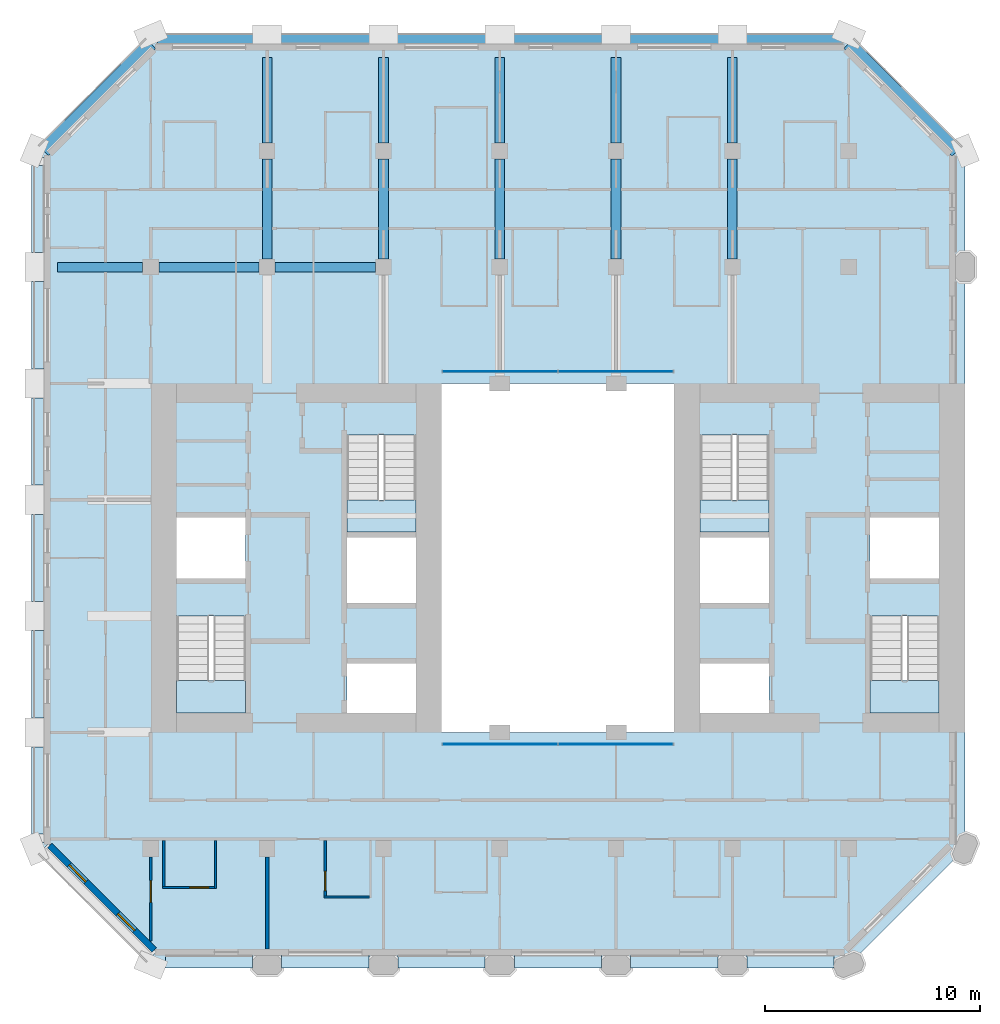
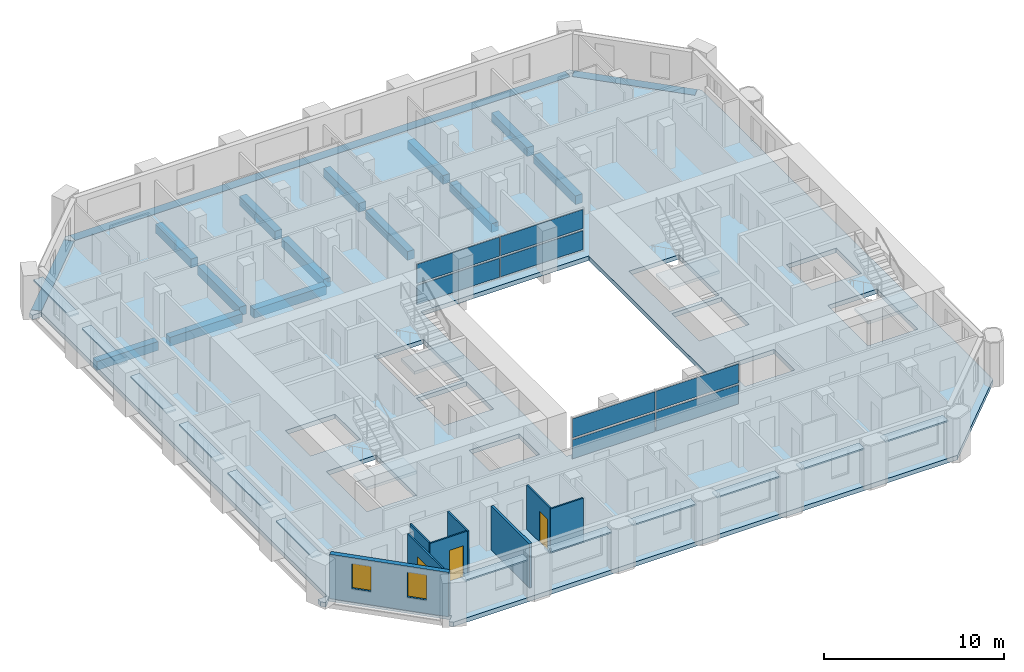
# One storey, part 5 of 14: 20 plates, 16 beams, 8 walls, 5 slabs, 3 doors, 2 windows, 5 openings, 6 elements without a shape of their own.
"""IFC4 building model written with IfcOpenShell, lengths in metres."""

from ifc_helpers import new_model, si_unit, direction, frame, frame_2d, origin, origin_2d, place, context, subcontext, project, spatial, polyline, rectangle, outline, extrude, material, layer, layer_set, material_profile, profile_set, type_object, element, fill, aggregate, save


model = new_model("IFC4")

# Units and contexts
model_context = context("Model", 3, precision=1e-05, world=origin(), true_north=direction((0.0, 1.0)))
body_context = subcontext(model_context, "Body", "Model", "MODEL_VIEW")
ifc_project = project(units=[si_unit("LENGTHUNIT", "METRE"), si_unit("AREAUNIT", "SQUARE_METRE"), si_unit("VOLUMEUNIT", "CUBIC_METRE"), si_unit("PLANEANGLEUNIT", "RADIAN"), si_unit("MASSUNIT", "GRAM", prefix="KILO")], contexts=[model_context])

# Site, building, storey
site_placement = place(None, origin())
site = spatial("IfcSite", under=ifc_project, at=site_placement, CompositionType="ELEMENT")
building_placement = place(site_placement, origin())
building = spatial("IfcBuilding", under=site, at=building_placement, Name="Tabaq Tower and Sports Hall", CompositionType="ELEMENT")
storey_placement = place(building_placement, frame((0.0, 0.0, 217.0)))
storey = spatial("IfcBuildingStorey", under=building, at=storey_placement, Name="L54", CompositionType="ELEMENT", Elevation=217.0)

# Beams
ifc_material_1 = material(Name="Concrete C40/50", Category="concrete")
ifc_material_profile_1 = material_profile(ifc_material_1, rectangle(XDim=0.449951171875, YDim=0.60009765625, at=origin_2d()), Name="CB 450x600")
ifc_profile_set_1 = profile_set([ifc_material_profile_1], Name="Concrete C40/50")
beam_type_1 = type_object("IfcBeamType", Name="PT CANTILEVER BEAM CB 450x600 C40/50", PredefinedType="BEAM", material=ifc_profile_set_1)
beam_1_placement = place(storey_placement, frame((1.074951171875, 37.800048828125, -0.60009765625), z_axis=(1.0, 0.0, 0.0), x_axis=(0.0, 1.0, 0.0)))
element("IfcBeam", 1, at=beam_1_placement, inside=storey, type_object=beam_type_1, Name="Cantilever Beam L54 W7 span 1", PredefinedType="BEAM", context=body_context, shape_type="SweptSolid", body=[
    extrude(rectangle(XDim=0.449951171875, YDim=0.60009765625, at=origin_2d()), origin(), (0.0, 0.0, 1.0), 3.949951171875),
])
beam_2_placement = place(storey_placement, frame((5.77490234375, 37.800048828125, -0.60009765625), z_axis=(1.0, 0.0, 0.0), x_axis=(0.0, 1.0, 0.0)))
element("IfcBeam", 2, at=beam_2_placement, inside=storey, type_object=beam_type_1, Name="Cantilever Beam L54 W7 span 2", PredefinedType="BEAM", context=body_context, shape_type="SweptSolid", body=[
    extrude(rectangle(XDim=0.449951171875, YDim=0.60009765625, at=origin_2d()), origin(), (0.0, 0.0, 1.0), 4.650146484375),
])
beam_3_placement = place(storey_placement, frame((11.175048828125, 37.800048828125, -0.60009765625), z_axis=(1.0, 0.0, 0.0), x_axis=(0.0, 1.0, 0.0)))
element("IfcBeam", 3, at=beam_3_placement, inside=storey, type_object=beam_type_1, Name="Cantilever Beam L54 W7 span 3", PredefinedType="BEAM", context=body_context, shape_type="SweptSolid", body=[
    extrude(rectangle(XDim=0.449951171875, YDim=0.60009765625, at=origin_2d()), origin(), (0.0, 0.0, 1.0), 4.64990234375),
])
beam_4_placement = place(storey_placement, frame((10.800048828125, 47.52490234375, -0.60009765625), z_axis=(0.0, -1.0, 0.0), x_axis=(1.0, 0.0, 0.0)))
element("IfcBeam", 4, at=beam_4_placement, inside=storey, type_object=beam_type_1, Name="Cantilever Beam L54 N2 span 1", PredefinedType="BEAM", context=body_context, shape_type="SweptSolid", body=[
    extrude(rectangle(XDim=0.449951171875, YDim=0.60009765625, at=origin_2d()), origin(), (0.0, 0.0, 1.0), 3.949951171875),
])
beam_5_placement = place(storey_placement, frame((10.800048828125, 42.824951171875, -0.60009765625), z_axis=(0.0, -1.0, 0.0), x_axis=(1.0, 0.0, 0.0)))
element("IfcBeam", 5, at=beam_5_placement, inside=storey, type_object=beam_type_1, Name="Cantilever Beam L54 N2 span 2", PredefinedType="BEAM", context=body_context, shape_type="SweptSolid", body=[
    extrude(rectangle(XDim=0.449951171875, YDim=0.60009765625, at=origin_2d()), origin(), (0.0, 0.0, 1.0), 4.64990234375),
])
beam_6_placement = place(storey_placement, frame((16.199951171875, 47.52490234375, -0.60009765625), z_axis=(0.0, -1.0, 0.0), x_axis=(1.0, 0.0, 0.0)))
element("IfcBeam", 6, at=beam_6_placement, inside=storey, type_object=beam_type_1, Name="Cantilever Beam L54 N3 span 1", PredefinedType="BEAM", context=body_context, shape_type="SweptSolid", body=[
    extrude(rectangle(XDim=0.449951171875, YDim=0.60009765625, at=origin_2d()), origin(), (0.0, 0.0, 1.0), 3.949951171875),
])
beam_7_placement = place(storey_placement, frame((16.199951171875, 42.824951171875, -0.60009765625), z_axis=(0.0, -1.0, 0.0), x_axis=(1.0, 0.0, 0.0)))
element("IfcBeam", 7, at=beam_7_placement, inside=storey, type_object=beam_type_1, Name="Cantilever Beam L54 N3 span 2", PredefinedType="BEAM", context=body_context, shape_type="SweptSolid", body=[
    extrude(rectangle(XDim=0.449951171875, YDim=0.60009765625, at=origin_2d()), origin(), (0.0, 0.0, 1.0), 4.64990234375),
])
beam_8_placement = place(storey_placement, frame((21.60009765625, 47.52490234375, -0.60009765625), z_axis=(0.0, -1.0, 0.0), x_axis=(1.0, 0.0, 0.0)))
element("IfcBeam", 8, at=beam_8_placement, inside=storey, type_object=beam_type_1, Name="Cantilever Beam L54 N4 span 1", PredefinedType="BEAM", context=body_context, shape_type="SweptSolid", body=[
    extrude(rectangle(XDim=0.449951171875, YDim=0.60009765625, at=origin_2d()), origin(), (0.0, 0.0, 1.0), 3.949951171875),
])
beam_9_placement = place(storey_placement, frame((21.60009765625, 42.824951171875, -0.60009765625), z_axis=(0.0, -1.0, 0.0), x_axis=(1.0, 0.0, 0.0)))
element("IfcBeam", 9, at=beam_9_placement, inside=storey, type_object=beam_type_1, Name="Cantilever Beam L54 N4 span 2", PredefinedType="BEAM", context=body_context, shape_type="SweptSolid", body=[
    extrude(rectangle(XDim=0.449951171875, YDim=0.60009765625, at=origin_2d()), origin(), (0.0, 0.0, 1.0), 4.64990234375),
])
beam_10_placement = place(storey_placement, frame((27.0, 47.52490234375, -0.60009765625), z_axis=(0.0, -1.0, 0.0), x_axis=(1.0, 0.0, 0.0)))
element("IfcBeam", 10, at=beam_10_placement, inside=storey, type_object=beam_type_1, Name="Cantilever Beam L54 N5 span 1", PredefinedType="BEAM", context=body_context, shape_type="SweptSolid", body=[
    extrude(rectangle(XDim=0.449951171875, YDim=0.60009765625, at=origin_2d()), origin(), (0.0, 0.0, 1.0), 3.949951171875),
])
beam_11_placement = place(storey_placement, frame((27.0, 42.824951171875, -0.60009765625), z_axis=(0.0, -1.0, 0.0), x_axis=(1.0, 0.0, 0.0)))
element("IfcBeam", 11, at=beam_11_placement, inside=storey, type_object=beam_type_1, Name="Cantilever Beam L54 N5 span 2", PredefinedType="BEAM", context=body_context, shape_type="SweptSolid", body=[
    extrude(rectangle(XDim=0.449951171875, YDim=0.60009765625, at=origin_2d()), origin(), (0.0, 0.0, 1.0), 4.64990234375),
])
beam_12_placement = place(storey_placement, frame((32.39990234375, 47.52490234375, -0.60009765625), z_axis=(0.0, -1.0, 0.0), x_axis=(1.0, 0.0, 0.0)))
element("IfcBeam", 12, at=beam_12_placement, inside=storey, type_object=beam_type_1, Name="Cantilever Beam L54 N6 span 1", PredefinedType="BEAM", context=body_context, shape_type="SweptSolid", body=[
    extrude(rectangle(XDim=0.449951171875, YDim=0.60009765625, at=origin_2d()), origin(), (0.0, 0.0, 1.0), 3.949951171875),
])
beam_13_placement = place(storey_placement, frame((32.39990234375, 42.824951171875, -0.60009765625), z_axis=(0.0, -1.0, 0.0), x_axis=(1.0, 0.0, 0.0)))
element("IfcBeam", 13, at=beam_13_placement, inside=storey, type_object=beam_type_1, Name="Cantilever Beam L54 N6 span 2", PredefinedType="BEAM", context=body_context, shape_type="SweptSolid", body=[
    extrude(rectangle(XDim=0.449951171875, YDim=0.60009765625, at=origin_2d()), origin(), (0.0, 0.0, 1.0), 4.64990234375),
])
ifc_material_2 = material(Name="Concrete C40/50", Category="concrete")
ifc_material_profile_2 = material_profile(ifc_material_2, rectangle(XDim=0.60009765625, YDim=0.300048828125, at=origin_2d()), Name="EB 600x300")
ifc_profile_set_2 = profile_set([ifc_material_profile_2], Name="Concrete C40/50")
beam_type_2 = type_object("IfcBeamType", Name="PT EDGE BEAM EB 600x300 C40/50", PredefinedType="SPANDREL", material=ifc_profile_set_2)
beam_14_placement = place(storey_placement, frame((42.81103515625, 43.16455078125, -0.14990234375), z_axis=(-0.707089559252, 0.707124002701, 0.0), x_axis=(-0.707124002701, -0.707089559252, 0.0)))
element("IfcBeam", 14, at=beam_14_placement, inside=storey, type_object=beam_type_2, Name="Edge Beam L54 1", PredefinedType="SPANDREL", context=body_context, shape_type="SweptSolid", body=[
    extrude(rectangle(XDim=0.60009765625, YDim=0.300048828125, at=origin_2d()), origin(), (0.0, 0.0, 1.0), 7.088134765625),
])
beam_15_placement = place(storey_placement, frame((37.50146484375, 48.300048828125, -0.14990234375), z_axis=(-1.0, 0.0, 0.0), x_axis=(0.0, -1.0, 0.0)))
element("IfcBeam", 15, at=beam_15_placement, inside=storey, type_object=beam_type_2, Name="Edge Beam L54 2", PredefinedType="SPANDREL", context=body_context, shape_type="SweptSolid", body=[
    extrude(rectangle(XDim=0.60009765625, YDim=0.300048828125, at=origin_2d()), origin(), (0.0, 0.0, 1.0), 31.802978515625),
])
beam_16_placement = place(storey_placement, frame((5.401123046875, 48.1767578125, -0.14990234375), z_axis=(-0.707106781187, -0.707106781187, 0.0), x_axis=(0.707106781187, -0.707106781187, 0.0)))
element("IfcBeam", 16, at=beam_16_placement, inside=storey, type_object=beam_type_2, Name="Edge Beam L54 3", PredefinedType="SPANDREL", context=body_context, shape_type="SweptSolid", body=[
    extrude(rectangle(XDim=0.60009765625, YDim=0.300048828125, at=origin_2d()), origin(), (0.0, 0.0, 1.0), 7.03955078125),
])

# Curtain wall, plates
ifc_material_3 = material(Name="Aluminium alloy 6063-T6 framed glazing", Category="aluminium")
curtain_wall_type = type_object("IfcCurtainWallType", Name="CW1 curtain wall", PredefinedType="USERDEFINED", material=ifc_material_3)
curtain_wall_1_placement = place(storey_placement, origin())
curtain_wall_1 = element("IfcCurtainWall", 17, at=curtain_wall_1_placement, inside=storey, type_object=curtain_wall_type, Name="Atrium glazing L54 S", ObjectType="ATRIUM ENCLOSURE", PredefinedType="USERDEFINED")
ifc_material_4 = material(Name="Clear low-emissivity glass 28 mm", Category="glass")
ifc_layer_1 = layer(ifc_material_4, 0.028076171875)
ifc_layer_set_1 = layer_set([ifc_layer_1], Name="CW1 glass panel 28")
plate_type_1 = type_object("IfcPlateType", Name="CW1 glass panel 28", PredefinedType="CURTAIN_PANEL", material=ifc_layer_set_1)
plate_1_placement = place(storey_placement, frame((21.614990234375, 15.64990234375, 0.139892578125), z_axis=(0.0, 0.0, 1.0), x_axis=(1.0, 0.0, 0.0)))
plate_1 = element("IfcPlate", 18, at=plate_1_placement, type_object=plate_type_1, Name="CW1 panel 1.1", PredefinedType="CURTAIN_PANEL", context=body_context, shape_type="SweptSolid", body=[
    extrude(rectangle(XDim=5.31005859375, YDim=0.028076171875, at=origin_2d()), origin(), (0.0, 0.0, 1.0), 1.2900390625),
])
plate_2_placement = place(storey_placement, frame((21.614990234375, 15.64990234375, 1.570068359375), z_axis=(0.0, 0.0, 1.0), x_axis=(1.0, 0.0, 0.0)))
plate_2 = element("IfcPlate", 19, at=plate_2_placement, type_object=plate_type_1, Name="CW1 panel 1.2", PredefinedType="CURTAIN_PANEL", context=body_context, shape_type="SweptSolid", body=[
    extrude(rectangle(XDim=5.31005859375, YDim=0.028076171875, at=origin_2d()), origin(), (0.0, 0.0, 1.0), 1.2900390625),
])
plate_3_placement = place(storey_placement, frame((26.985107421875, 15.64990234375, 0.139892578125), z_axis=(0.0, 0.0, 1.0), x_axis=(1.0, 0.0, 0.0)))
plate_3 = element("IfcPlate", 20, at=plate_3_placement, type_object=plate_type_1, Name="CW1 panel 2.1", PredefinedType="CURTAIN_PANEL", context=body_context, shape_type="SweptSolid", body=[
    extrude(rectangle(XDim=5.31005859375, YDim=0.028076171875, at=origin_2d()), origin(), (0.0, 0.0, 1.0), 1.2900390625),
])
plate_4_placement = place(storey_placement, frame((26.985107421875, 15.64990234375, 1.570068359375), z_axis=(0.0, 0.0, 1.0), x_axis=(1.0, 0.0, 0.0)))
plate_4 = element("IfcPlate", 21, at=plate_4_placement, type_object=plate_type_1, Name="CW1 panel 2.2", PredefinedType="CURTAIN_PANEL", context=body_context, shape_type="SweptSolid", body=[
    extrude(rectangle(XDim=5.31005859375, YDim=0.028076171875, at=origin_2d()), origin(), (0.0, 0.0, 1.0), 1.2900390625),
])
aggregate(curtain_wall_1, [plate_1, plate_2, plate_3, plate_4])

curtain_wall_2_placement = place(storey_placement, origin())
curtain_wall_2 = element("IfcCurtainWall", 22, at=curtain_wall_2_placement, inside=storey, type_object=curtain_wall_type, Name="Atrium glazing L54 N", ObjectType="ATRIUM ENCLOSURE", PredefinedType="USERDEFINED")
plate_5_placement = place(storey_placement, frame((21.614990234375, 32.949951171875, 0.139892578125), z_axis=(0.0, 0.0, 1.0), x_axis=(1.0, 0.0, 0.0)))
plate_5 = element("IfcPlate", 23, at=plate_5_placement, type_object=plate_type_1, Name="CW1 panel 1.1", PredefinedType="CURTAIN_PANEL", context=body_context, shape_type="SweptSolid", body=[
    extrude(rectangle(XDim=5.31005859375, YDim=0.028076171875, at=origin_2d()), origin(), (0.0, 0.0, 1.0), 1.2900390625),
])
plate_6_placement = place(storey_placement, frame((21.614990234375, 32.949951171875, 1.570068359375), z_axis=(0.0, 0.0, 1.0), x_axis=(1.0, 0.0, 0.0)))
plate_6 = element("IfcPlate", 24, at=plate_6_placement, type_object=plate_type_1, Name="CW1 panel 1.2", PredefinedType="CURTAIN_PANEL", context=body_context, shape_type="SweptSolid", body=[
    extrude(rectangle(XDim=5.31005859375, YDim=0.028076171875, at=origin_2d()), origin(), (0.0, 0.0, 1.0), 1.2900390625),
])
plate_7_placement = place(storey_placement, frame((26.985107421875, 32.949951171875, 0.139892578125), z_axis=(0.0, 0.0, 1.0), x_axis=(1.0, 0.0, 0.0)))
plate_7 = element("IfcPlate", 25, at=plate_7_placement, type_object=plate_type_1, Name="CW1 panel 2.1", PredefinedType="CURTAIN_PANEL", context=body_context, shape_type="SweptSolid", body=[
    extrude(rectangle(XDim=5.31005859375, YDim=0.028076171875, at=origin_2d()), origin(), (0.0, 0.0, 1.0), 1.2900390625),
])
plate_8_placement = place(storey_placement, frame((26.985107421875, 32.949951171875, 1.570068359375), z_axis=(0.0, 0.0, 1.0), x_axis=(1.0, 0.0, 0.0)))
plate_8 = element("IfcPlate", 26, at=plate_8_placement, type_object=plate_type_1, Name="CW1 panel 2.2", PredefinedType="CURTAIN_PANEL", context=body_context, shape_type="SweptSolid", body=[
    extrude(rectangle(XDim=5.31005859375, YDim=0.028076171875, at=origin_2d()), origin(), (0.0, 0.0, 1.0), 1.2900390625),
])
aggregate(curtain_wall_2, [plate_5, plate_6, plate_7, plate_8])

# Stair, slab
ifc_material_5 = material(Name="Concrete C40/50", Category="concrete")
stair_type = type_object("IfcStairType", Name="Exit stair", PredefinedType="HALF_TURN_STAIR", material=ifc_material_5)
stair_1_placement = place(storey_placement, origin())
stair_1 = element("IfcStair", 27, at=stair_1_placement, inside=storey, type_object=stair_type, Name="L54 Exit stair ST1", PredefinedType="HALF_TURN_STAIR")
ifc_material_6 = material(Name="Concrete C40/50", Category="concrete")
ifc_layer_2 = layer(ifc_material_6, 0.199951171875)
ifc_layer_set_2 = layer_set([ifc_layer_2], Name="Exit stair landing")
slab_type_1 = type_object("IfcSlabType", Name="Exit stair landing", PredefinedType="LANDING", material=ifc_layer_set_2)
slab_1_placement = place(storey_placement, frame((0.0, 0.0, 1.449951171875)))
slab_1 = element("IfcSlab", 28, at=slab_1_placement, type_object=slab_type_1, Name="ST1 landing 1", PredefinedType="LANDING", context=body_context, shape_type="SweptSolid", body=[
    extrude(outline(polyline([(6.60009765625, 18.60009765625), (6.60009765625, 17.10009765625), (9.800048828125, 17.10009765625), (9.800048828125, 18.60009765625), (6.60009765625, 18.60009765625)])), origin(), (0.0, 0.0, 1.0), 0.199951171875),
])
aggregate(stair_1, [slab_1])

stair_2_placement = place(storey_placement, origin())
stair_2 = element("IfcStair", 29, at=stair_2_placement, inside=storey, type_object=stair_type, Name="L54 Exit stair ST2", PredefinedType="HALF_TURN_STAIR")
slab_2_placement = place(storey_placement, frame((0.0, 0.0, 1.449951171875)))
slab_2 = element("IfcSlab", 30, at=slab_2_placement, type_object=slab_type_1, Name="ST2 landing 1", PredefinedType="LANDING", context=body_context, shape_type="SweptSolid", body=[
    extrude(outline(polyline([(14.5, 27.0), (14.5, 25.5), (17.699951171875, 25.5), (17.699951171875, 27.0), (14.5, 27.0)])), origin(), (0.0, 0.0, 1.0), 0.199951171875),
])
aggregate(stair_2, [slab_2])

stair_3_placement = place(storey_placement, origin())
stair_3 = element("IfcStair", 31, at=stair_3_placement, inside=storey, type_object=stair_type, Name="L54 Exit stair ST3", PredefinedType="HALF_TURN_STAIR")
slab_3_placement = place(storey_placement, frame((0.0, 0.0, 1.449951171875)))
slab_3 = element("IfcSlab", 32, at=slab_3_placement, type_object=slab_type_1, Name="ST3 landing 1", PredefinedType="LANDING", context=body_context, shape_type="SweptSolid", body=[
    extrude(outline(polyline([(38.800048828125, 18.60009765625), (38.800048828125, 17.10009765625), (42.0, 17.10009765625), (42.0, 18.60009765625), (38.800048828125, 18.60009765625)])), origin(), (0.0, 0.0, 1.0), 0.199951171875),
])
aggregate(stair_3, [slab_3])

stair_4_placement = place(storey_placement, origin())
stair_4 = element("IfcStair", 33, at=stair_4_placement, inside=storey, type_object=stair_type, Name="L54 Exit stair ST4", PredefinedType="HALF_TURN_STAIR")
slab_4_placement = place(storey_placement, frame((0.0, 0.0, 1.449951171875)))
slab_4 = element("IfcSlab", 34, at=slab_4_placement, type_object=slab_type_1, Name="ST4 landing 1", PredefinedType="LANDING", context=body_context, shape_type="SweptSolid", body=[
    extrude(outline(polyline([(30.89990234375, 27.0), (30.89990234375, 25.5), (34.10009765625, 25.5), (34.10009765625, 27.0), (30.89990234375, 27.0)])), origin(), (0.0, 0.0, 1.0), 0.199951171875),
])
aggregate(stair_4, [slab_4])

# Slab
ifc_material_7 = material(Name="Concrete C40/50", Category="concrete")
ifc_layer_3 = layer(ifc_material_7, 0.300048828125)
ifc_layer_set_3 = layer_set([ifc_layer_3], Name="PT FLOOR SLAB 300 C40/50")
slab_type_2 = type_object("IfcSlabType", Name="PT FLOOR SLAB 300 C40/50", PredefinedType="FLOOR", material=ifc_layer_set_3)
slab_5_placement = place(storey_placement, frame((0.0, 0.0, -0.300048828125)))
element("IfcSlab", 35, at=slab_5_placement, inside=storey, type_object=slab_type_2, Name="Floor Slab L54", PredefinedType="FLOOR", context=body_context, shape_type="SweptSolid", body=[
    extrude(outline(polyline([(0.0, 11.0986328125), (0.0, 10.800048828125), (0.211181640625, 10.5888671875), (0.63525390625, 11.01318359375), (5.6474609375, 6.0009765625), (5.57666015625, 5.930419921875), (5.22314453125, 5.57666015625), (5.39990234375, 5.39990234375), (37.800048828125, 5.39990234375), (43.199951171875, 10.800048828125), (43.199951171875, 43.199951171875), (43.023193359375, 43.376708984375), (42.669677734375, 43.023193359375), (42.598876953125, 42.952392578125), (37.5869140625, 47.964599609375), (37.657470703125, 48.035400390625), (38.010986328125, 48.388916015625), (37.800048828125, 48.60009765625), (37.50146484375, 48.60009765625), (37.50146484375, 48.10009765625), (37.50146484375, 48.0), (5.698486328125, 48.0), (5.698486328125, 48.10009765625), (5.698486328125, 48.60009765625), (5.39990234375, 48.60009765625), (5.18896484375, 48.388916015625), (5.54248046875, 48.035400390625), (5.61328125, 47.964599609375), (0.63525390625, 42.98681640625), (0.211181640625, 43.4111328125), (0.0, 43.199951171875), (0.0, 42.9013671875), (0.5, 42.9013671875), (0.60009765625, 42.9013671875), (0.60009765625, 11.0986328125), (0.5, 11.0986328125), (0.0, 11.0986328125)]), holes=[polyline([(14.5, 19.39990234375), (17.699951171875, 19.39990234375), (17.699951171875, 17.10009765625), (14.5, 17.10009765625), (14.5, 19.39990234375)]), polyline([(6.60009765625, 21.599365234375), (9.800048828125, 21.599365234375), (9.800048828125, 17.10009765625), (6.60009765625, 17.10009765625), (6.60009765625, 21.599365234375)]), polyline([(14.5, 25.25), (17.699951171875, 25.25), (17.699951171875, 22.199951171875), (14.5, 22.199951171875), (14.5, 25.25)]), polyline([(18.89990234375, 32.39990234375), (29.699951171875, 32.39990234375), (29.699951171875, 16.199951171875), (18.89990234375, 16.199951171875), (18.89990234375, 32.39990234375)]), polyline([(9.800048828125, 26.175048828125), (9.800048828125, 23.35009765625), (6.60009765625, 23.35009765625), (6.60009765625, 26.175048828125), (9.800048828125, 26.175048828125)]), polyline([(14.5, 29.99951171875), (17.699951171875, 29.99951171875), (17.699951171875, 25.5), (14.5, 25.5), (14.5, 29.99951171875)]), polyline([(34.10009765625, 19.39990234375), (34.10009765625, 17.10009765625), (30.89990234375, 17.10009765625), (30.89990234375, 19.39990234375), (34.10009765625, 19.39990234375)]), polyline([(42.0, 21.599365234375), (42.0, 17.10009765625), (38.800048828125, 17.10009765625), (38.800048828125, 21.599365234375), (42.0, 21.599365234375)]), polyline([(30.89990234375, 25.25), (34.10009765625, 25.25), (34.10009765625, 22.199951171875), (30.89990234375, 22.199951171875), (30.89990234375, 25.25)]), polyline([(42.0, 26.175048828125), (42.0, 23.35009765625), (38.800048828125, 23.35009765625), (38.800048828125, 26.175048828125), (42.0, 26.175048828125)]), polyline([(34.10009765625, 29.99951171875), (34.10009765625, 25.5), (30.89990234375, 25.5), (30.89990234375, 29.99951171875), (34.10009765625, 29.99951171875)])]), origin(), (0.0, 0.0, 1.0), 0.300048828125),
])

# Plates
ifc_material_8 = material(Name="White precast concrete C60/75 blade", Category="concrete")
ifc_layer_4 = layer(ifc_material_8, 0.10009765625)
ifc_layer_set_4 = layer_set([ifc_layer_4], Name="White precast concrete C60/75 sunshade 100")
plate_type_2 = type_object("IfcPlateType", Name="White precast concrete C60/75 sunshade 100", PredefinedType="USERDEFINED", material=ifc_layer_set_4)
for number, where, z_axis, x_axis, name in (
    (36, (8.10009765625, 5.550048828125, 2.599853515625), (0.0, 0.0, 1.0), (1.0, 0.0, 0.0), "Sunshade L54 S"),
    (37, (13.5, 5.550048828125, 2.599853515625), (0.0, 0.0, 1.0), (1.0, 0.0, 0.0), "Sunshade L54 S"),
    (38, (18.89990234375, 5.550048828125, 2.599853515625), (0.0, 0.0, 1.0), (1.0, 0.0, 0.0), "Sunshade L54 S"),
    (39, (24.300048828125, 5.550048828125, 2.599853515625), (0.0, 0.0, 1.0), (1.0, 0.0, 0.0), "Sunshade L54 S"),
    (40, (29.699951171875, 5.550048828125, 2.599853515625), (0.0, 0.0, 1.0), (1.0, 0.0, 0.0), "Sunshade L54 S"),
    (41, (35.10009765625, 5.550048828125, 2.599853515625), (0.0, 0.0, 1.0), (1.0, 0.0, 0.0), "Sunshade L54 S"),
    (42, (0.14990234375, 40.5, 2.599853515625), (0.0, 0.0, 1.0), (0.0, -1.0, 0.0), "Sunshade L54 W"),
    (43, (0.14990234375, 35.10009765625, 2.599853515625), (0.0, 0.0, 1.0), (0.0, -1.0, 0.0), "Sunshade L54 W"),
    (44, (0.14990234375, 29.699951171875, 2.599853515625), (0.0, 0.0, 1.0), (0.0, -1.0, 0.0), "Sunshade L54 W"),
    (45, (0.14990234375, 24.300048828125, 2.599853515625), (0.0, 0.0, 1.0), (0.0, -1.0, 0.0), "Sunshade L54 W"),
    (46, (0.14990234375, 18.89990234375, 2.599853515625), (0.0, 0.0, 1.0), (0.0, -1.0, 0.0), "Sunshade L54 W"),
    (47, (0.14990234375, 13.5, 2.599853515625), (0.0, 0.0, 1.0), (0.0, -1.0, 0.0), "Sunshade L54 W"),
):
    element("IfcPlate", number, at=place(storey_placement, frame(where, z_axis=z_axis, x_axis=x_axis)), inside=storey, type_object=plate_type_2, Name=name, ObjectType="SUNSHADE", PredefinedType="USERDEFINED", context=body_context, shape_type="SweptSolid", body=[
        extrude(rectangle(XDim=4.050048828125, YDim=0.60009765625, at=origin_2d()), origin(), (0.0, 0.0, 1.0), 0.10009765625),
    ])

# Wall
ifc_material_9 = material(Name="Gypsum board on steel studs", Category="steel")
ifc_layer_5 = layer(ifc_material_9, 0.10009765625)
ifc_layer_set_5 = layer_set([ifc_layer_5], Name="Partition 100 Gypsum board")
wall_type_1 = type_object("IfcWallType", Name="Partition 100 Gypsum board", PredefinedType="PARTITIONING", material=ifc_layer_set_5)
wall_1_placement = place(storey_placement, frame((15.550048828125, 8.550048828125, 0.0), z_axis=(0.0, 0.0, 1.0), x_axis=(-1.0, 0.0, 0.0)))
element("IfcWall", 48, at=wall_1_placement, inside=storey, type_object=wall_type_1, Name="Partition wall L54", PredefinedType="PARTITIONING", context=body_context, shape_type="SweptSolid", body=[
    extrude(rectangle(XDim=2.10009765625, YDim=0.10009765625, at=frame_2d((1.050048828125, 0.0))), origin(), (0.0, 0.0, 1.0), 3.0),
])

# Wall, opening, door
wall_2_placement = place(storey_placement, frame((13.5, 8.60009765625, 0.0), z_axis=(0.0, 0.0, 1.0), x_axis=(0.0, 1.0, 0.0)))
wall_2 = element("IfcWall", 49, at=wall_2_placement, inside=storey, type_object=wall_type_1, Name="Partition wall L54", PredefinedType="PARTITIONING", context=body_context, shape_type="SweptSolid", body=[
    extrude(rectangle(XDim=2.574951171875, YDim=0.10009765625, at=frame_2d((1.28759765625, 0.0))), origin(), (0.0, 0.0, 1.0), 3.0),
])
opening_1_placement = place(wall_2_placement, frame((0.25, 0.0, 0.0)))
opening_1 = element("IfcOpeningElement", 50, at=opening_1_placement, cuts=wall_2, Name="Opening L54-019", PredefinedType="OPENING", context=body_context, shape_type="SweptSolid", body=[
    extrude(rectangle(XDim=0.89990234375, YDim=2.10009765625, at=frame_2d((0.449951171875, 1.050048828125))), frame((0.0, 0.050048828125, 0.0), z_axis=(0.0, -1.0, 0.0), x_axis=(1.0, 0.0, 0.0)), (0.0, 0.0, 1.0), 0.10009765625),
])
ifc_material_10 = material(Name="Timber leaf in steel frame", Category="steel")
door_type_1 = type_object("IfcDoorType", Name="Internal door 900 left hand", OperationType="SINGLE_SWING_LEFT", PredefinedType="DOOR", material=ifc_material_10)
door_1_placement = place(opening_1_placement, origin())
door_1 = element("IfcDoor", 51, at=door_1_placement, inside=storey, type_object=door_type_1, Name="Internal door L54-019", OperationType="SINGLE_SWING_LEFT", OverallHeight=2.10009765625, OverallWidth=0.89990234375, PredefinedType="DOOR", context=body_context, shape_type="SweptSolid", body=[
    extrude(rectangle(XDim=0.89990234375, YDim=2.10009765625, at=frame_2d((0.449951171875, 1.050048828125))), frame((0.0, 0.02490234375, 0.0), z_axis=(0.0, -1.0, 0.0), x_axis=(1.0, 0.0, 0.0)), (0.0, 0.0, 1.0), 0.050048828125),
])
fill(opening_1, door_1)

# Wall
wall_3_placement = place(storey_placement, frame((8.39990234375, 11.175048828125, 0.0), z_axis=(0.0, 0.0, 1.0), x_axis=(0.0, -1.0, 0.0)))
element("IfcWall", 52, at=wall_3_placement, inside=storey, type_object=wall_type_1, Name="Partition wall L54", PredefinedType="PARTITIONING", context=body_context, shape_type="SweptSolid", body=[
    extrude(rectangle(XDim=2.22509765625, YDim=0.10009765625, at=frame_2d((1.112548828125, 0.0))), origin(), (0.0, 0.0, 1.0), 3.0),
])

# Wall, opening, door
wall_4_placement = place(storey_placement, frame((8.35009765625, 9.0, 0.0), z_axis=(0.0, 0.0, 1.0), x_axis=(-1.0, 0.0, 0.0)))
wall_4 = element("IfcWall", 53, at=wall_4_placement, inside=storey, type_object=wall_type_1, Name="Partition wall L54", PredefinedType="PARTITIONING", context=body_context, shape_type="SweptSolid", body=[
    extrude(rectangle(XDim=2.400146484375, YDim=0.10009765625, at=frame_2d((1.2001953125, 0.0))), origin(), (0.0, 0.0, 1.0), 3.0),
])
opening_2_placement = place(wall_4_placement, frame((0.25, 0.0, 0.0)))
opening_2 = element("IfcOpeningElement", 54, at=opening_2_placement, cuts=wall_4, Name="Opening L54-020", PredefinedType="OPENING", context=body_context, shape_type="SweptSolid", body=[
    extrude(rectangle(XDim=0.89990234375, YDim=2.10009765625, at=frame_2d((0.449951171875, 1.050048828125))), frame((0.0, 0.050048828125, 0.0), z_axis=(0.0, -1.0, 0.0), x_axis=(1.0, 0.0, 0.0)), (0.0, 0.0, 1.0), 0.10009765625),
])
ifc_material_11 = material(Name="Timber leaf in steel frame", Category="steel")
door_type_2 = type_object("IfcDoorType", Name="Internal door 900 right hand", OperationType="SINGLE_SWING_RIGHT", PredefinedType="DOOR", material=ifc_material_11)
door_2_placement = place(opening_2_placement, origin())
door_2 = element("IfcDoor", 55, at=door_2_placement, inside=storey, type_object=door_type_2, Name="Internal door L54-020", OperationType="SINGLE_SWING_RIGHT", OverallHeight=2.10009765625, OverallWidth=0.89990234375, PredefinedType="DOOR", context=body_context, shape_type="SweptSolid", body=[
    extrude(rectangle(XDim=0.89990234375, YDim=2.10009765625, at=frame_2d((0.449951171875, 1.050048828125))), frame((0.0, 0.02490234375, 0.0), z_axis=(0.0, -1.0, 0.0), x_axis=(1.0, 0.0, 0.0)), (0.0, 0.0, 1.0), 0.050048828125),
])
fill(opening_2, door_2)

# Wall
wall_5_placement = place(storey_placement, frame((6.0, 9.050048828125, 0.0), z_axis=(0.0, 0.0, 1.0), x_axis=(0.0, 1.0, 0.0)))
element("IfcWall", 56, at=wall_5_placement, inside=storey, type_object=wall_type_1, Name="Partition wall L54", PredefinedType="PARTITIONING", context=body_context, shape_type="SweptSolid", body=[
    extrude(rectangle(XDim=2.125, YDim=0.10009765625, at=frame_2d((1.0625, 0.0))), origin(), (0.0, 0.0, 1.0), 3.0),
])

# Wall, opening, door
wall_6_placement = place(storey_placement, frame((5.39990234375, 10.405029296875, 0.0), z_axis=(0.0, 0.0, 1.0), x_axis=(0.0, -1.0, 0.0)))
wall_6 = element("IfcWall", 57, at=wall_6_placement, inside=storey, type_object=wall_type_1, Name="Partition wall L54", PredefinedType="PARTITIONING", context=body_context, shape_type="SweptSolid", body=[
    extrude(rectangle(XDim=3.892822265625, YDim=0.10009765625, at=frame_2d((1.9462890625, 0.0))), origin(), (0.0, 0.0, 1.0), 3.0),
])
opening_3_placement = place(wall_6_placement, frame((1.092529296875, 0.0, 0.0)))
opening_3 = element("IfcOpeningElement", 58, at=opening_3_placement, cuts=wall_6, Name="Opening L54-047", PredefinedType="OPENING", context=body_context, shape_type="SweptSolid", body=[
    extrude(rectangle(XDim=1.0, YDim=2.10009765625, at=frame_2d((0.5, 1.050048828125))), frame((0.0, 0.050048828125, 0.0), z_axis=(0.0, -1.0, 0.0), x_axis=(1.0, 0.0, 0.0)), (0.0, 0.0, 1.0), 0.10009765625),
])
ifc_material_12 = material(Name="Timber leaf in steel frame", Category="steel")
door_type_3 = type_object("IfcDoorType", Name="Internal door 1000 right hand", OperationType="SINGLE_SWING_RIGHT", PredefinedType="DOOR", material=ifc_material_12)
door_3_placement = place(opening_3_placement, origin())
door_3 = element("IfcDoor", 59, at=door_3_placement, inside=storey, type_object=door_type_3, Name="Internal door L54-047", OperationType="SINGLE_SWING_RIGHT", OverallHeight=2.10009765625, OverallWidth=1.0, PredefinedType="DOOR", context=body_context, shape_type="SweptSolid", body=[
    extrude(rectangle(XDim=1.0, YDim=2.10009765625, at=frame_2d((0.5, 1.050048828125))), frame((0.0, 0.02490234375, 0.0), z_axis=(0.0, -1.0, 0.0), x_axis=(1.0, 0.0, 0.0)), (0.0, 0.0, 1.0), 0.050048828125),
])
fill(opening_3, door_3)

# Wall
ifc_material_13 = material(Name="Blockwork", Category="masonry")
ifc_layer_6 = layer(ifc_material_13, 0.14990234375)
ifc_layer_set_6 = layer_set([ifc_layer_6], Name="Separating wall 150 Blockwork")
wall_type_2 = type_object("IfcWallType", Name="Separating wall 150 Blockwork", PredefinedType="PARTITIONING", material=ifc_layer_set_6)
wall_7_placement = place(storey_placement, frame((10.800048828125, 10.405029296875, 0.0), z_axis=(0.0, 0.0, 1.0), x_axis=(0.0, -1.0, 0.0)))
element("IfcWall", 60, at=wall_7_placement, inside=storey, type_object=wall_type_2, Name="Separating wall L54", PredefinedType="PARTITIONING", context=body_context, shape_type="SweptSolid", body=[
    extrude(rectangle(XDim=4.254150390625, YDim=0.14990234375, at=frame_2d((2.126953125, 0.0))), origin(), (0.0, 0.0, 1.0), 3.0),
])

# Wall, openings, windows
ifc_material_14 = material(Name="White precast concrete C60/75", Category="concrete")
ifc_layer_7 = layer(ifc_material_14, 0.300048828125)
ifc_layer_set_7 = layer_set([ifc_layer_7], Name="White precast concrete C60/75 external wall 300")
wall_type_3 = type_object("IfcWallType", Name="White precast concrete C60/75 external wall 300", PredefinedType="SOLIDWALL", material=ifc_layer_set_7)
wall_8_placement = place(storey_placement, frame((0.698974609375, 10.949462890625, 0.0), z_axis=(0.0, 0.0, 1.0), x_axis=(0.707106781187, -0.707106781187, 0.0)))
wall_8 = element("IfcWall", 61, at=wall_8_placement, inside=storey, type_object=wall_type_3, Name="External Wall L54 SW", PredefinedType="SOLIDWALL", context=body_context, shape_type="SweptSolid", body=[
    extrude(rectangle(XDim=6.85986328125, YDim=0.300048828125, at=frame_2d((3.429931640625, 0.0))), origin(), (0.0, 0.0, 1.0), 3.0),
])
opening_4_placement = place(wall_8_placement, frame((1.27978515625, 0.0, 0.89990234375)))
opening_4 = element("IfcOpeningElement", 62, at=opening_4_placement, cuts=wall_8, Name="Opening W1B", PredefinedType="OPENING", context=body_context, shape_type="SweptSolid", body=[
    extrude(rectangle(XDim=1.10009765625, YDim=1.699951171875, at=frame_2d((0.550048828125, 0.85009765625))), frame((0.0, 0.16015625, 0.0), z_axis=(0.0, -1.0, 0.0), x_axis=(1.0, 0.0, 0.0)), (0.0, 0.0, 1.0), 0.320068359375),
])
opening_5_placement = place(wall_8_placement, frame((4.479736328125, 0.0, 0.89990234375)))
opening_5 = element("IfcOpeningElement", 63, at=opening_5_placement, cuts=wall_8, Name="Opening W1B", PredefinedType="OPENING", context=body_context, shape_type="SweptSolid", body=[
    extrude(rectangle(XDim=1.10009765625, YDim=1.699951171875, at=frame_2d((0.550048828125, 0.85009765625))), frame((0.0, 0.16015625, 0.0), z_axis=(0.0, -1.0, 0.0), x_axis=(1.0, 0.0, 0.0)), (0.0, 0.0, 1.0), 0.320068359375),
])
ifc_material_15 = material(Name="Aluminium framed clear glazing", Category="aluminium")
window_type = type_object("IfcWindowType", Name="Window W1B", PartitioningType="SINGLE_PANEL", PredefinedType="WINDOW", material=ifc_material_15)
window_1_placement = place(opening_4_placement, origin())
window_1 = element("IfcWindow", 64, at=window_1_placement, inside=storey, type_object=window_type, Name="Window W1B L54", OverallHeight=1.699951171875, OverallWidth=1.10009765625, PartitioningType="SINGLE_PANEL", PredefinedType="WINDOW", context=body_context, shape_type="SweptSolid", body=[
    extrude(rectangle(XDim=1.10009765625, YDim=1.699951171875, at=frame_2d((0.550048828125, 0.85009765625))), frame((0.0, 0.030029296875, 0.0), z_axis=(0.0, -1.0, 0.0), x_axis=(1.0, 0.0, 0.0)), (0.0, 0.0, 1.0), 0.06005859375),
])
fill(opening_4, window_1)
window_2_placement = place(opening_5_placement, origin())
window_2 = element("IfcWindow", 65, at=window_2_placement, inside=storey, type_object=window_type, Name="Window W1B L54", OverallHeight=1.699951171875, OverallWidth=1.10009765625, PartitioningType="SINGLE_PANEL", PredefinedType="WINDOW", context=body_context, shape_type="SweptSolid", body=[
    extrude(rectangle(XDim=1.10009765625, YDim=1.699951171875, at=frame_2d((0.550048828125, 0.85009765625))), frame((0.0, 0.030029296875, 0.0), z_axis=(0.0, -1.0, 0.0), x_axis=(1.0, 0.0, 0.0)), (0.0, 0.0, 1.0), 0.06005859375),
])
fill(opening_5, window_2)

save(model, "model.ifc")
